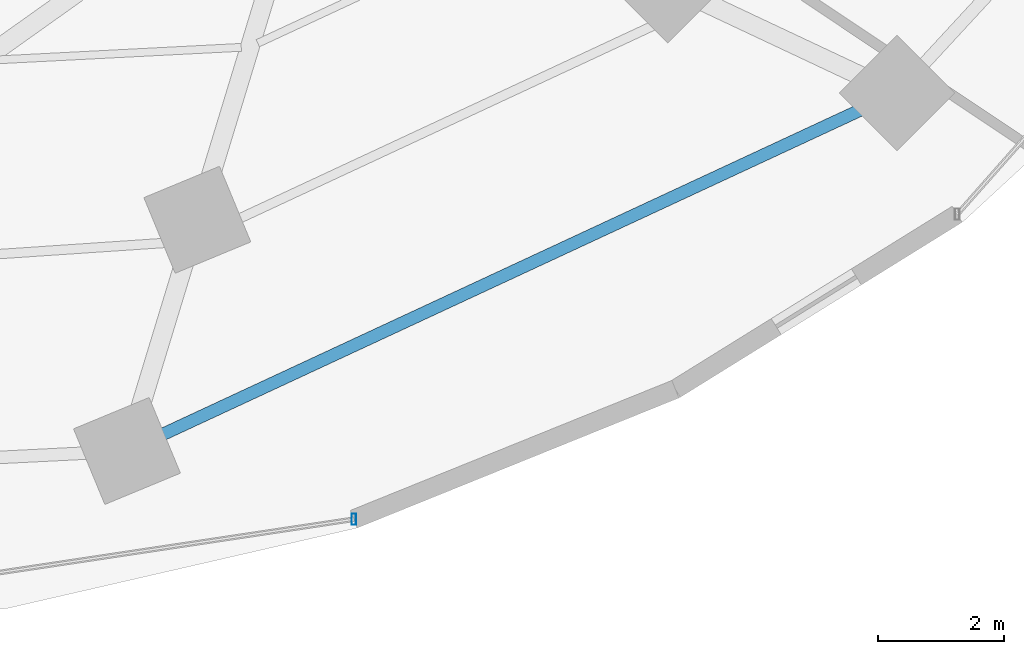
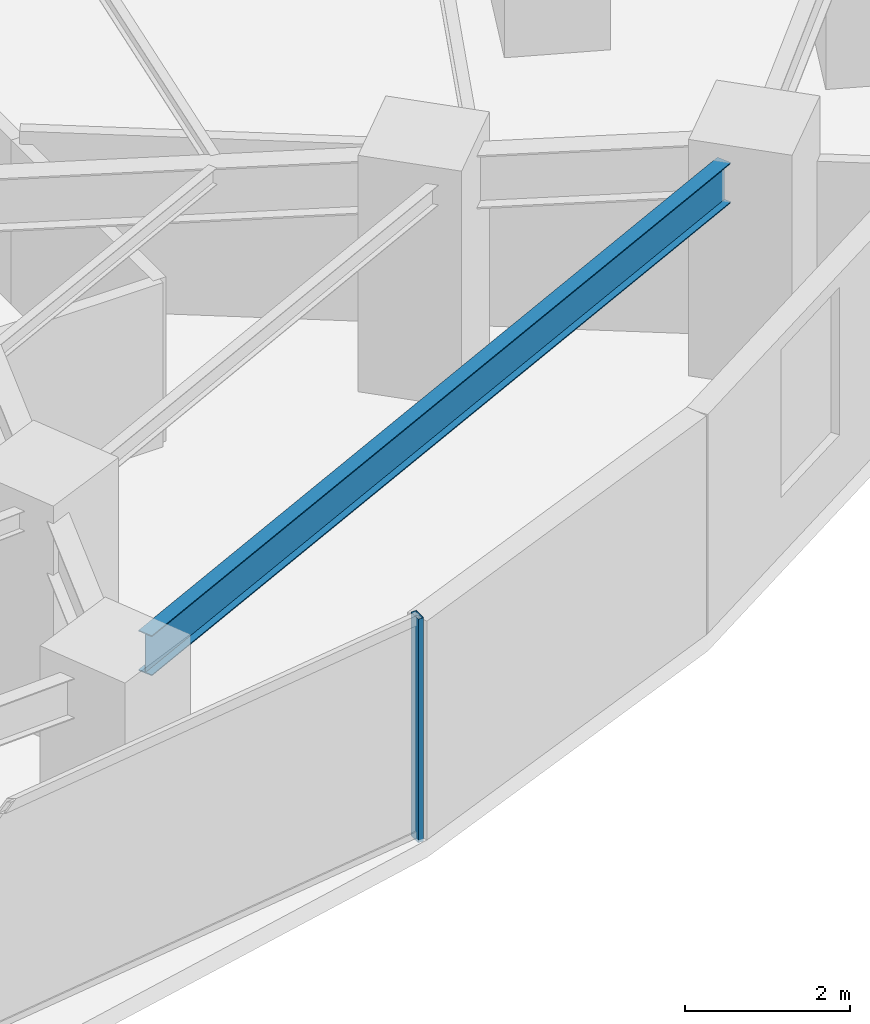
# One storey, part 11 of 33: 1 beam, 1 member, 1 element without a shape of its own.
"""IFC4 building model written with IfcOpenShell, lengths in metres."""

from ifc_helpers import new_model, si_unit, direction, frame, origin, origin_2d, place, context, subcontext, project, spatial, hollow_rectangle, i_section, extrude, material, material_profile, profile_set, type_object, element, aggregate, save


model = new_model("IFC4")

# Units and contexts
model_context = context("Model", 3, precision=1e-05, world=origin(), true_north=direction((0.0, 1.0)))
body_context = subcontext(model_context, "Body", "Model", "MODEL_VIEW")
ifc_project = project(units=[si_unit("LENGTHUNIT", "METRE"), si_unit("AREAUNIT", "SQUARE_METRE"), si_unit("VOLUMEUNIT", "CUBIC_METRE"), si_unit("PLANEANGLEUNIT", "RADIAN"), si_unit("MASSUNIT", "GRAM", prefix="KILO")], contexts=[model_context])

# Site, building, storey
site_placement = place(None, origin())
site = spatial("IfcSite", under=ifc_project, at=site_placement, CompositionType="ELEMENT")
building_placement = place(site_placement, origin())
building = spatial("IfcBuilding", under=site, at=building_placement, Name="Vorneva Point Tower", CompositionType="ELEMENT")
storey_placement = place(building_placement, frame((0.0, 0.0, 38.0)))
storey = spatial("IfcBuildingStorey", under=building, at=storey_placement, Name="L09", CompositionType="ELEMENT", Elevation=38.0)

# Beam
ifc_material_1 = material(Name="Steel S355", Category="steel")
ifc_material_profile_1 = material_profile(ifc_material_1, i_section(OverallWidth=0.198974609375, OverallDepth=0.595947265625, WebThickness=0.010009765625, FlangeThickness=0.014892578125, at=origin_2d()), Name="60B1")
ifc_profile_set_1 = profile_set([ifc_material_profile_1], Name="Steel S355")
beam_type = type_object("IfcBeamType", Name="BM-SPN-60B1", PredefinedType="SPANDREL", material=ifc_profile_set_1)
beam_placement = place(storey_placement, frame((46.27880859375, 6.702880859375, 2.94189453125), z_axis=(0.906776698196, 0.421611218551, 0.0), x_axis=(-0.421611218551, 0.906776698196, 0.0)))
element("IfcBeam", 1, at=beam_placement, inside=storey, type_object=beam_type, Name="L09 Perimeter Spandrel Ring Beam 14", PredefinedType="SPANDREL", context=body_context, shape_type="SweptSolid", body=[
    extrude(i_section(OverallWidth=0.198974609375, OverallDepth=0.595947265625, WebThickness=0.010009765625, FlangeThickness=0.014892578125, at=origin_2d()), origin(), (0.0, 0.0, 1.0), 12.223388671875),
])

# Curtain wall, member
ifc_material_2 = material(Name="Pale anodised aluminium", Category="aluminium")
curtain_wall_type = type_object("IfcCurtainWallType", Name="CW-HTL-SYS", PredefinedType="NOTDEFINED", material=ifc_material_2)
curtain_wall_placement = place(storey_placement, origin())
curtain_wall = element("IfcCurtainWall", 2, at=curtain_wall_placement, inside=storey, type_object=curtain_wall_type, Name="L09 Unitised Curtain Wall CW-L09-R04", PredefinedType="NOTDEFINED")
ifc_material_profile_2 = material_profile(ifc_material_2, hollow_rectangle(XDim=0.074951171875, YDim=0.179931640625, WallThickness=0.00390625, at=origin_2d()), Name="AL-MUL 180x75x4")
ifc_profile_set_2 = profile_set([ifc_material_profile_2], Name="Pale anodised aluminium")
member_type = type_object("IfcMemberType", Name="CW-MUL-180", PredefinedType="MULLION", material=ifc_profile_set_2)
member_placement = place(storey_placement, frame((49.308349609375, 5.351318359375, -0.0400390625), z_axis=(0.0, 0.0, 1.0), x_axis=(1.0, 0.0, 0.0)))
member = element("IfcMember", 3, at=member_placement, type_object=member_type, Name="CW-L09-R04 Mullion 04", PredefinedType="MULLION", context=body_context, shape_type="SweptSolid", body=[
    extrude(hollow_rectangle(XDim=0.074951171875, YDim=0.179931640625, WallThickness=0.00390625, at=origin_2d()), origin(), (0.0, 0.0, 1.0), 3.31005859375),
])
aggregate(curtain_wall, [member])

save(model, "model.ifc")
